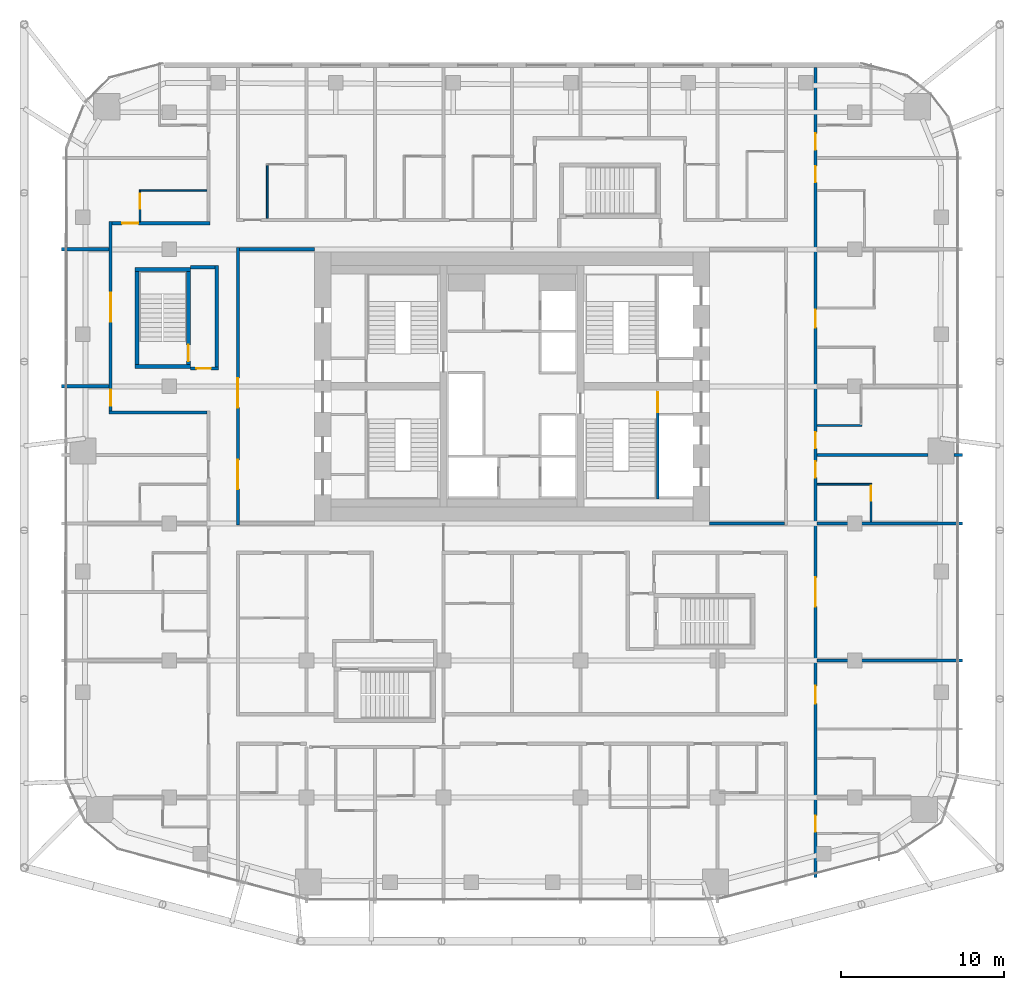
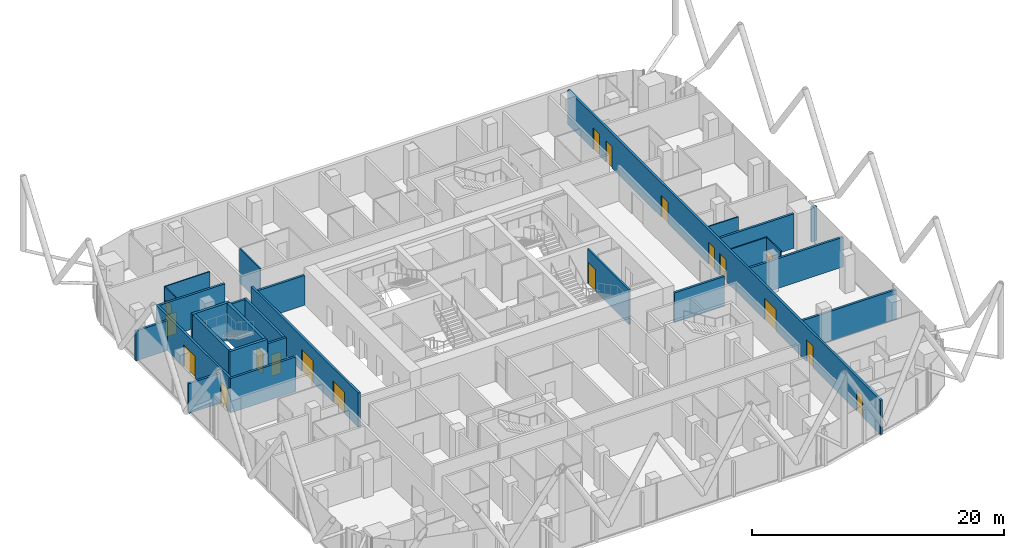
# One storey, part 30 of 36: 27 walls, 18 doors, 18 openings.
"""IFC4 building model written with IfcOpenShell, lengths in metres."""

from ifc_helpers import new_model, si_unit, direction, frame, frame_2d, origin, place, context, subcontext, project, spatial, rectangle, extrude, material, layer, layer_set, type_object, element, fill, save


model = new_model("IFC4")

# Units and contexts
model_context = context("Model", 3, precision=1e-05, world=origin(), true_north=direction((0.0, 1.0)))
body_context = subcontext(model_context, "Body", "Model", "MODEL_VIEW")
ifc_project = project(units=[si_unit("LENGTHUNIT", "METRE"), si_unit("AREAUNIT", "SQUARE_METRE"), si_unit("VOLUMEUNIT", "CUBIC_METRE"), si_unit("PLANEANGLEUNIT", "RADIAN"), si_unit("MASSUNIT", "GRAM", prefix="KILO")], contexts=[model_context])

# Site, building, storey
site_placement = place(None, origin())
site = spatial("IfcSite", under=ifc_project, at=site_placement, CompositionType="ELEMENT")
building_placement = place(site_placement, origin())
building = spatial("IfcBuilding", under=site, at=building_placement, Name="Marenta Gate Hotel Tower", CompositionType="ELEMENT")
storey_placement = place(building_placement, frame((0.0, 0.0, 115.699951171875)))
storey = spatial("IfcBuildingStorey", under=building, at=storey_placement, Name="L25", CompositionType="ELEMENT", Elevation=115.699951171875)

# Wall, openings, doors
ifc_material_1 = material(Name="Concrete blockwork", Category="masonry")
ifc_layer_1 = layer(ifc_material_1, 0.199951171875)
ifc_layer_set_1 = layer_set([ifc_layer_1], Name="Concrete blockwork")
wall_type_1 = type_object("IfcWallType", Name="Core boundary wall 200 REI 180", PredefinedType="PARTITIONING", material=ifc_layer_set_1)
wall_1_placement = place(storey_placement, frame((-16.800048828125, -0.10009765625, 0.0), z_axis=(0.0, 0.0, 1.0), x_axis=(0.0, 1.0, 0.0)))
wall_1 = element("IfcWall", 1, at=wall_1_placement, inside=storey, type_object=wall_type_1, Name="L25-CP-BW-W", PredefinedType="PARTITIONING", context=body_context, shape_type="SweptSolid", body=[
    extrude(rectangle(XDim=17.0, YDim=0.199951171875, at=frame_2d((8.5, 0.0))), origin(), (0.0, 0.0, 1.0), 3.340087890625),
])
opening_1_placement = place(wall_1_placement, frame((2.199951171875, 0.0, 0.0)))
opening_1 = element("IfcOpeningElement", 2, at=opening_1_placement, cuts=wall_1, Name="Opening ED-Wa-B", PredefinedType="OPENING", context=body_context, shape_type="SweptSolid", body=[
    extrude(rectangle(XDim=1.800048828125, YDim=2.10009765625, at=frame_2d((0.89990234375, 1.050048828125))), frame((0.0, 0.10009765625, 0.0), z_axis=(0.0, -1.0, 0.0), x_axis=(1.0, 0.0, 0.0)), (0.0, 0.0, 1.0), 0.199951171875),
])
opening_2_placement = place(wall_1_placement, frame((7.199951171875, 0.0, 0.0)))
opening_2 = element("IfcOpeningElement", 3, at=opening_2_placement, cuts=wall_1, Name="Opening ED-Wb-B", PredefinedType="OPENING", context=body_context, shape_type="SweptSolid", body=[
    extrude(rectangle(XDim=1.800048828125, YDim=2.10009765625, at=frame_2d((0.89990234375, 1.050048828125))), frame((0.0, 0.10009765625, 0.0), z_axis=(0.0, -1.0, 0.0), x_axis=(1.0, 0.0, 0.0)), (0.0, 0.0, 1.0), 0.199951171875),
])
ifc_material_2 = material(Name="Steel", Category="steel")
door_type_1 = type_object("IfcDoorType", Name="Core lobby entrance door 1800x2100 EI 60", OperationType="DOUBLE_DOOR_SINGLE_SWING", PredefinedType="DOOR", material=ifc_material_2)
door_1_placement = place(opening_1_placement, origin())
door_1 = element("IfcDoor", 4, at=door_1_placement, inside=storey, type_object=door_type_1, Name="ED-Wa-B", OperationType="DOUBLE_DOOR_SINGLE_SWING", OverallHeight=2.10009765625, OverallWidth=1.800048828125, PredefinedType="DOOR", context=body_context, shape_type="SweptSolid", body=[
    extrude(rectangle(XDim=1.800048828125, YDim=2.10009765625, at=frame_2d((0.89990234375, 1.050048828125))), frame((0.0, 0.02490234375, 0.0), z_axis=(0.0, -1.0, 0.0), x_axis=(1.0, 0.0, 0.0)), (0.0, 0.0, 1.0), 0.050048828125),
])
fill(opening_1, door_1)
door_2_placement = place(opening_2_placement, origin())
door_2 = element("IfcDoor", 5, at=door_2_placement, inside=storey, type_object=door_type_1, Name="ED-Wb-B", OperationType="DOUBLE_DOOR_SINGLE_SWING", OverallHeight=2.10009765625, OverallWidth=1.800048828125, PredefinedType="DOOR", context=body_context, shape_type="SweptSolid", body=[
    extrude(rectangle(XDim=1.800048828125, YDim=2.10009765625, at=frame_2d((0.89990234375, 1.050048828125))), frame((0.0, 0.02490234375, 0.0), z_axis=(0.0, -1.0, 0.0), x_axis=(1.0, 0.0, 0.0)), (0.0, 0.0, 1.0), 0.050048828125),
])
fill(opening_2, door_2)

# Walls
for number, where, z_axis, x_axis, name in (
    (6, (-16.699951171875, 16.800048828125, 0.0), (0.0, 0.0, 1.0), (1.0, 0.0, 0.0), "L25-CP-EW-WN"),
    (7, (12.10009765625, 0.0, 0.0), (0.0, 0.0, 1.0), (1.0, 0.0, 0.0), "L25-CP-EW-ES"),
):
    element("IfcWall", number, at=place(storey_placement, frame(where, z_axis=z_axis, x_axis=x_axis)), inside=storey, type_object=wall_type_1, Name=name, PredefinedType="PARTITIONING", context=body_context, shape_type="SweptSolid", body=[
        extrude(rectangle(XDim=4.599853515625, YDim=0.199951171875, at=frame_2d((2.2998046875, 0.0))), origin(), (0.0, 0.0, 1.0), 2.89013671875),
    ])

# Wall, opening, door
ifc_material_3 = material(Name="Concrete C40", Category="concrete")
ifc_layer_2 = layer(ifc_material_3, 0.14990234375)
ifc_layer_set_2 = layer_set([ifc_layer_2], Name="Concrete C40")
wall_type_2 = type_object("IfcWallType", Name="Core stair enclosure wall 150 REI 180", PredefinedType="SHEAR", material=ifc_layer_set_2)
wall_2_placement = place(storey_placement, frame((8.925048828125, 1.5, 0.0), z_axis=(0.0, 0.0, 1.0), x_axis=(0.0, 1.0, 0.0)))
wall_2 = element("IfcWall", 8, at=wall_2_placement, inside=storey, type_object=wall_type_2, Name="L25-SHF-SW-ES-3", PredefinedType="SHEAR", context=body_context, shape_type="SweptSolid", body=[
    extrude(rectangle(XDim=6.60009765625, YDim=0.14990234375, at=frame_2d((3.300048828125, 0.0))), origin(), (0.0, 0.0, 1.0), 3.340087890625),
])
opening_3_placement = place(wall_2_placement, frame((5.324951171875, 0.0, 0.0)))
opening_3 = element("IfcOpeningElement", 9, at=opening_3_placement, cuts=wall_2, Name="Opening SD-ES", PredefinedType="OPENING", context=body_context, shape_type="SweptSolid", body=[
    extrude(rectangle(XDim=1.199951171875, YDim=2.10009765625, at=frame_2d((0.60009765625, 1.050048828125))), frame((0.0, 0.074951171875, 0.0), z_axis=(0.0, -1.0, 0.0), x_axis=(1.0, 0.0, 0.0)), (0.0, 0.0, 1.0), 0.14990234375),
])
ifc_material_4 = material(Name="Steel", Category="steel")
door_type_2 = type_object("IfcDoorType", Name="Core stair door 1200x2100 FD60", OperationType="SINGLE_SWING_LEFT", PredefinedType="DOOR", material=ifc_material_4)
door_3_placement = place(opening_3_placement, origin())
door_3 = element("IfcDoor", 10, at=door_3_placement, inside=storey, type_object=door_type_2, Name="SD-ES", OperationType="SINGLE_SWING_LEFT", OverallHeight=2.10009765625, OverallWidth=1.199951171875, PredefinedType="DOOR", context=body_context, shape_type="SweptSolid", body=[
    extrude(rectangle(XDim=1.199951171875, YDim=2.10009765625, at=frame_2d((0.60009765625, 1.050048828125))), frame((0.0, 0.02490234375, 0.0), z_axis=(0.0, -1.0, 0.0), x_axis=(1.0, 0.0, 0.0)), (0.0, 0.0, 1.0), 0.050048828125),
])
fill(opening_3, door_3)

# Walls
ifc_material_5 = material(Name="Concrete C40", Category="concrete")
ifc_layer_3 = layer(ifc_material_5, 0.25)
ifc_layer_set_3 = layer_set([ifc_layer_3], Name="Concrete C40")
wall_type_3 = type_object("IfcWallType", Name="Remote stair enclosure wall 250 REI 180", PredefinedType="SHEAR", material=ifc_layer_set_3)
for number, where, z_axis, x_axis, name in (
    (11, (-23.10009765625, 9.625, 0.10009765625), (0.0, 0.0, 1.0), (1.0, 0.0, 0.0), "L25-RS-Z1-3-W1"),
    (12, (-23.10009765625, 15.574951171875, 0.10009765625), (0.0, 0.0, 1.0), (1.0, 0.0, 0.0), "L25-RS-Z1-3-W2"),
):
    element("IfcWall", number, at=place(storey_placement, frame(where, z_axis=z_axis, x_axis=x_axis)), inside=storey, type_object=wall_type_3, Name=name, PredefinedType="SHEAR", context=body_context, shape_type="SweptSolid", body=[
        extrude(rectangle(XDim=3.400146484375, YDim=0.25, at=frame_2d((1.7001953125, 0.0))), origin(), (0.0, 0.0, 1.0), 3.599853515625),
    ])
wall_3_placement = place(storey_placement, frame((-22.97509765625, 9.75, 0.10009765625), z_axis=(0.0, 0.0, 1.0), x_axis=(0.0, 1.0, 0.0)))
element("IfcWall", 13, at=wall_3_placement, inside=storey, type_object=wall_type_3, Name="L25-RS-Z1-3-W3", PredefinedType="SHEAR", context=body_context, shape_type="SweptSolid", body=[
    extrude(rectangle(XDim=5.699951171875, YDim=0.25, at=frame_2d((2.85009765625, 0.0))), origin(), (0.0, 0.0, 1.0), 3.599853515625),
])

# Wall, opening, door
wall_4_placement = place(storey_placement, frame((-19.824951171875, 9.75, 0.10009765625), z_axis=(0.0, 0.0, 1.0), x_axis=(0.0, 1.0, 0.0)))
wall_4 = element("IfcWall", 14, at=wall_4_placement, inside=storey, type_object=wall_type_3, Name="L25-RS-Z1-3-W4", PredefinedType="SHEAR", context=body_context, shape_type="SweptSolid", body=[
    extrude(rectangle(XDim=5.699951171875, YDim=0.25, at=frame_2d((2.85009765625, 0.0))), origin(), (0.0, 0.0, 1.0), 3.599853515625),
])
opening_4_placement = place(wall_4_placement, frame((0.199951171875, 0.0, 0.0)))
opening_4 = element("IfcOpeningElement", 15, at=opening_4_placement, cuts=wall_4, Name="Opening VD", PredefinedType="OPENING", context=body_context, shape_type="SweptSolid", body=[
    extrude(rectangle(XDim=1.0, YDim=2.10009765625, at=frame_2d((0.5, 1.050048828125))), frame((0.0, 0.125, 0.0), z_axis=(0.0, -1.0, 0.0), x_axis=(1.0, 0.0, 0.0)), (0.0, 0.0, 1.0), 0.25),
])
ifc_material_6 = material(Name="Steel", Category="steel")
door_type_3 = type_object("IfcDoorType", Name="Stair vestibule door 1000x2100 FD60", OperationType="SINGLE_SWING_LEFT", PredefinedType="DOOR", material=ifc_material_6)
door_4_placement = place(opening_4_placement, origin())
door_4 = element("IfcDoor", 16, at=door_4_placement, inside=storey, type_object=door_type_3, Name="VD", OperationType="SINGLE_SWING_LEFT", OverallHeight=2.10009765625, OverallWidth=1.0, PredefinedType="DOOR", context=body_context, shape_type="SweptSolid", body=[
    extrude(rectangle(XDim=1.0, YDim=2.10009765625, at=frame_2d((0.5, 1.050048828125))), frame((0.0, 0.02490234375, 0.0), z_axis=(0.0, -1.0, 0.0), x_axis=(1.0, 0.0, 0.0)), (0.0, 0.0, 1.0), 0.050048828125),
])
fill(opening_4, door_4)

# Wall, openings, doors
ifc_material_7 = material(Name="Gypsum board on steel stud", Category="steel")
ifc_layer_4 = layer(ifc_material_7, 0.199951171875)
ifc_layer_set_4 = layer_set([ifc_layer_4], Name="Gypsum board on steel stud")
wall_type_4 = type_object("IfcWallType", Name="Room corridor wall 200 EI 60", PredefinedType="PARTITIONING", material=ifc_layer_set_4)
wall_5_placement = place(storey_placement, frame((18.60009765625, -21.7080078125, 0.0), z_axis=(0.0, 0.0, 1.0), x_axis=(0.0, 1.0, 0.0)))
wall_5 = element("IfcWall", 17, at=wall_5_placement, inside=storey, type_object=wall_type_4, Name="L25-PTN-W010", PredefinedType="PARTITIONING", context=body_context, shape_type="SweptSolid", body=[
    extrude(rectangle(XDim=49.64794921875, YDim=0.199951171875, at=frame_2d((24.823974609375, 0.0))), origin(), (0.0, 0.0, 1.0), 3.340087890625),
])
opening_5_placement = place(wall_5_placement, frame((2.800048828125, 0.0, 0.0)))
opening_5 = element("IfcOpeningElement", 18, at=opening_5_placement, cuts=wall_5, Name="Opening G09-09", PredefinedType="OPENING", context=body_context, shape_type="SweptSolid", body=[
    extrude(rectangle(XDim=1.0, YDim=2.10009765625, at=frame_2d((0.5, 1.050048828125))), frame((0.0, 0.10009765625, 0.0), z_axis=(0.0, -1.0, 0.0), x_axis=(1.0, 0.0, 0.0)), (0.0, 0.0, 1.0), 0.199951171875),
])
opening_6_placement = place(wall_5_placement, frame((10.657958984375, 0.0, 0.0)))
opening_6 = element("IfcOpeningElement", 19, at=opening_6_placement, cuts=wall_5, Name="Opening G09-11", PredefinedType="OPENING", context=body_context, shape_type="SweptSolid", body=[
    extrude(rectangle(XDim=1.10009765625, YDim=2.10009765625, at=frame_2d((0.550048828125, 1.050048828125))), frame((0.0, 0.10009765625, 0.0), z_axis=(0.0, -1.0, 0.0), x_axis=(1.0, 0.0, 0.0)), (0.0, 0.0, 1.0), 0.199951171875),
])
opening_7_placement = place(wall_5_placement, frame((16.60791015625, 0.0, 0.0)))
opening_7 = element("IfcOpeningElement", 20, at=opening_7_placement, cuts=wall_5, Name="Opening G09-14", PredefinedType="OPENING", context=body_context, shape_type="SweptSolid", body=[
    extrude(rectangle(XDim=1.800048828125, YDim=2.10009765625, at=frame_2d((0.89990234375, 1.050048828125))), frame((0.0, 0.10009765625, 0.0), z_axis=(0.0, -1.0, 0.0), x_axis=(1.0, 0.0, 0.0)), (0.0, 0.0, 1.0), 0.199951171875),
])
opening_8_placement = place(wall_5_placement, frame((24.508056640625, 0.0, 0.0)))
opening_8 = element("IfcOpeningElement", 21, at=opening_8_placement, cuts=wall_5, Name="Opening G09-15", PredefinedType="OPENING", context=body_context, shape_type="SweptSolid", body=[
    extrude(rectangle(XDim=1.0, YDim=2.10009765625, at=frame_2d((0.5, 1.050048828125))), frame((0.0, 0.10009765625, 0.0), z_axis=(0.0, -1.0, 0.0), x_axis=(1.0, 0.0, 0.0)), (0.0, 0.0, 1.0), 0.199951171875),
])
opening_9_placement = place(wall_5_placement, frame((26.30810546875, 0.0, 0.0)))
opening_9 = element("IfcOpeningElement", 22, at=opening_9_placement, cuts=wall_5, Name="Opening G09-17", PredefinedType="OPENING", context=body_context, shape_type="SweptSolid", body=[
    extrude(rectangle(XDim=1.0, YDim=2.10009765625, at=frame_2d((0.5, 1.050048828125))), frame((0.0, 0.10009765625, 0.0), z_axis=(0.0, -1.0, 0.0), x_axis=(1.0, 0.0, 0.0)), (0.0, 0.0, 1.0), 0.199951171875),
])
opening_10_placement = place(wall_5_placement, frame((33.7080078125, 0.0, 0.0)))
opening_10 = element("IfcOpeningElement", 23, at=opening_10_placement, cuts=wall_5, Name="Opening G09-19", PredefinedType="OPENING", context=body_context, shape_type="SweptSolid", body=[
    extrude(rectangle(XDim=1.10009765625, YDim=2.10009765625, at=frame_2d((0.550048828125, 1.050048828125))), frame((0.0, 0.10009765625, 0.0), z_axis=(0.0, -1.0, 0.0), x_axis=(1.0, 0.0, 0.0)), (0.0, 0.0, 1.0), 0.199951171875),
])
opening_11_placement = place(wall_5_placement, frame((42.60791015625, 0.0, 0.0)))
opening_11 = element("IfcOpeningElement", 24, at=opening_11_placement, cuts=wall_5, Name="Opening G09-22", PredefinedType="OPENING", context=body_context, shape_type="SweptSolid", body=[
    extrude(rectangle(XDim=1.0, YDim=2.10009765625, at=frame_2d((0.5, 1.050048828125))), frame((0.0, 0.10009765625, 0.0), z_axis=(0.0, -1.0, 0.0), x_axis=(1.0, 0.0, 0.0)), (0.0, 0.0, 1.0), 0.199951171875),
])
opening_12_placement = place(wall_5_placement, frame((44.60791015625, 0.0, 0.0)))
opening_12 = element("IfcOpeningElement", 25, at=opening_12_placement, cuts=wall_5, Name="Opening G09-24", PredefinedType="OPENING", context=body_context, shape_type="SweptSolid", body=[
    extrude(rectangle(XDim=1.0, YDim=2.10009765625, at=frame_2d((0.5, 1.050048828125))), frame((0.0, 0.10009765625, 0.0), z_axis=(0.0, -1.0, 0.0), x_axis=(1.0, 0.0, 0.0)), (0.0, 0.0, 1.0), 0.199951171875),
])
ifc_material_8 = material(Name="Timber door leaf", Category="wood")
door_type_4 = type_object("IfcDoorType", Name="Guest room door 1000x2100 EI 30", OperationType="NOTDEFINED", PredefinedType="DOOR", material=ifc_material_8)
door_5_placement = place(opening_5_placement, origin())
door_5 = element("IfcDoor", 26, at=door_5_placement, inside=storey, type_object=door_type_4, Name="L25-PD-D009", OperationType="SINGLE_SWING_RIGHT", OverallHeight=2.10009765625, OverallWidth=1.0, PredefinedType="DOOR", context=body_context, shape_type="SweptSolid", body=[
    extrude(rectangle(XDim=1.0, YDim=2.10009765625, at=frame_2d((0.5, 1.050048828125))), frame((0.0, 0.02490234375, 0.0), z_axis=(0.0, -1.0, 0.0), x_axis=(1.0, 0.0, 0.0)), (0.0, 0.0, 1.0), 0.050048828125),
])
fill(opening_5, door_5)
door_6_placement = place(opening_8_placement, origin())
door_6 = element("IfcDoor", 27, at=door_6_placement, inside=storey, type_object=door_type_4, Name="L25-PD-D015", OperationType="SINGLE_SWING_LEFT", OverallHeight=2.10009765625, OverallWidth=1.0, PredefinedType="DOOR", context=body_context, shape_type="SweptSolid", body=[
    extrude(rectangle(XDim=1.0, YDim=2.10009765625, at=frame_2d((0.5, 1.050048828125))), frame((0.0, 0.02490234375, 0.0), z_axis=(0.0, -1.0, 0.0), x_axis=(1.0, 0.0, 0.0)), (0.0, 0.0, 1.0), 0.050048828125),
])
fill(opening_8, door_6)
door_7_placement = place(opening_9_placement, origin())
door_7 = element("IfcDoor", 28, at=door_7_placement, inside=storey, type_object=door_type_4, Name="L25-PD-D017", OperationType="SINGLE_SWING_LEFT", OverallHeight=2.10009765625, OverallWidth=1.0, PredefinedType="DOOR", context=body_context, shape_type="SweptSolid", body=[
    extrude(rectangle(XDim=1.0, YDim=2.10009765625, at=frame_2d((0.5, 1.050048828125))), frame((0.0, 0.02490234375, 0.0), z_axis=(0.0, -1.0, 0.0), x_axis=(1.0, 0.0, 0.0)), (0.0, 0.0, 1.0), 0.050048828125),
])
fill(opening_9, door_7)
door_8_placement = place(opening_11_placement, origin())
door_8 = element("IfcDoor", 29, at=door_8_placement, inside=storey, type_object=door_type_4, Name="L25-PD-D022", OperationType="SINGLE_SWING_RIGHT", OverallHeight=2.10009765625, OverallWidth=1.0, PredefinedType="DOOR", context=body_context, shape_type="SweptSolid", body=[
    extrude(rectangle(XDim=1.0, YDim=2.10009765625, at=frame_2d((0.5, 1.050048828125))), frame((0.0, 0.02490234375, 0.0), z_axis=(0.0, -1.0, 0.0), x_axis=(1.0, 0.0, 0.0)), (0.0, 0.0, 1.0), 0.050048828125),
])
fill(opening_11, door_8)
door_9_placement = place(opening_12_placement, origin())
door_9 = element("IfcDoor", 30, at=door_9_placement, inside=storey, type_object=door_type_4, Name="L25-PD-D024", OperationType="SINGLE_SWING_RIGHT", OverallHeight=2.10009765625, OverallWidth=1.0, PredefinedType="DOOR", context=body_context, shape_type="SweptSolid", body=[
    extrude(rectangle(XDim=1.0, YDim=2.10009765625, at=frame_2d((0.5, 1.050048828125))), frame((0.0, 0.02490234375, 0.0), z_axis=(0.0, -1.0, 0.0), x_axis=(1.0, 0.0, 0.0)), (0.0, 0.0, 1.0), 0.050048828125),
])
fill(opening_12, door_9)
ifc_material_9 = material(Name="Timber door leaf", Category="wood")
door_type_5 = type_object("IfcDoorType", Name="Guest room door 1100x2100 EI 30", OperationType="NOTDEFINED", PredefinedType="DOOR", material=ifc_material_9)
door_10_placement = place(opening_6_placement, origin())
door_10 = element("IfcDoor", 31, at=door_10_placement, inside=storey, type_object=door_type_5, Name="L25-PD-D011", OperationType="SINGLE_SWING_LEFT", OverallHeight=2.10009765625, OverallWidth=1.10009765625, PredefinedType="DOOR", context=body_context, shape_type="SweptSolid", body=[
    extrude(rectangle(XDim=1.10009765625, YDim=2.10009765625, at=frame_2d((0.550048828125, 1.050048828125))), frame((0.0, 0.02490234375, 0.0), z_axis=(0.0, -1.0, 0.0), x_axis=(1.0, 0.0, 0.0)), (0.0, 0.0, 1.0), 0.050048828125),
])
fill(opening_6, door_10)
door_11_placement = place(opening_10_placement, origin())
door_11 = element("IfcDoor", 32, at=door_11_placement, inside=storey, type_object=door_type_5, Name="L25-PD-D019", OperationType="SINGLE_SWING_LEFT", OverallHeight=2.10009765625, OverallWidth=1.10009765625, PredefinedType="DOOR", context=body_context, shape_type="SweptSolid", body=[
    extrude(rectangle(XDim=1.10009765625, YDim=2.10009765625, at=frame_2d((0.550048828125, 1.050048828125))), frame((0.0, 0.02490234375, 0.0), z_axis=(0.0, -1.0, 0.0), x_axis=(1.0, 0.0, 0.0)), (0.0, 0.0, 1.0), 0.050048828125),
])
fill(opening_10, door_11)
ifc_material_10 = material(Name="Timber door leaf", Category="wood")
door_type_6 = type_object("IfcDoorType", Name="Room amenity door 1800x2100 EI 30", OperationType="DOUBLE_DOOR_SINGLE_SWING", PredefinedType="DOOR", material=ifc_material_10)
door_12_placement = place(opening_7_placement, origin())
door_12 = element("IfcDoor", 33, at=door_12_placement, inside=storey, type_object=door_type_6, Name="L25-PD-D014", OperationType="DOUBLE_DOOR_SINGLE_SWING", OverallHeight=2.10009765625, OverallWidth=1.800048828125, PredefinedType="DOOR", context=body_context, shape_type="SweptSolid", body=[
    extrude(rectangle(XDim=1.800048828125, YDim=2.10009765625, at=frame_2d((0.89990234375, 1.050048828125))), frame((0.0, 0.02490234375, 0.0), z_axis=(0.0, -1.0, 0.0), x_axis=(1.0, 0.0, 0.0)), (0.0, 0.0, 1.0), 0.050048828125),
])
fill(opening_7, door_12)

# Wall
wall_6_placement = place(storey_placement, frame((-24.699951171875, 6.800048828125, 0.0), z_axis=(0.0, 0.0, 1.0), x_axis=(1.0, 0.0, 0.0)))
element("IfcWall", 34, at=wall_6_placement, inside=storey, type_object=wall_type_4, Name="L25-PTN-W079", PredefinedType="PARTITIONING", context=body_context, shape_type="SweptSolid", body=[
    extrude(rectangle(XDim=6.0, YDim=0.199951171875, at=frame_2d((3.0, 0.0))), origin(), (0.0, 0.0, 1.0), 3.340087890625),
])

# Wall, opening, door
wall_7_placement = place(storey_placement, frame((-24.5, 18.39990234375, 0.0), z_axis=(0.0, 0.0, 1.0), x_axis=(1.0, 0.0, 0.0)))
wall_7 = element("IfcWall", 35, at=wall_7_placement, inside=storey, type_object=wall_type_4, Name="L25-PTN-W103", PredefinedType="PARTITIONING", context=body_context, shape_type="SweptSolid", body=[
    extrude(rectangle(XDim=6.0, YDim=0.199951171875, at=frame_2d((3.0, 0.0))), origin(), (0.0, 0.0, 1.0), 3.340087890625),
])
opening_13_placement = place(wall_7_placement, frame((0.60009765625, 0.0, 0.0)))
opening_13 = element("IfcOpeningElement", 36, at=opening_13_placement, cuts=wall_7, Name="Opening G09-64", PredefinedType="OPENING", context=body_context, shape_type="SweptSolid", body=[
    extrude(rectangle(XDim=1.0, YDim=2.10009765625, at=frame_2d((0.5, 1.050048828125))), frame((0.0, 0.10009765625, 0.0), z_axis=(0.0, -1.0, 0.0), x_axis=(1.0, 0.0, 0.0)), (0.0, 0.0, 1.0), 0.199951171875),
])
door_13_placement = place(opening_13_placement, origin())
door_13 = element("IfcDoor", 37, at=door_13_placement, inside=storey, type_object=door_type_4, Name="L25-PD-D064", OperationType="SINGLE_SWING_RIGHT", OverallHeight=2.10009765625, OverallWidth=1.0, PredefinedType="DOOR", context=body_context, shape_type="SweptSolid", body=[
    extrude(rectangle(XDim=1.0, YDim=2.10009765625, at=frame_2d((0.5, 1.050048828125))), frame((0.0, 0.02490234375, 0.0), z_axis=(0.0, -1.0, 0.0), x_axis=(1.0, 0.0, 0.0)), (0.0, 0.0, 1.0), 0.050048828125),
])
fill(opening_13, door_13)

# Wall, openings, doors
wall_8_placement = place(storey_placement, frame((-24.60009765625, 6.89990234375, 0.0), z_axis=(0.0, 0.0, 1.0), x_axis=(0.0, 1.0, 0.0)))
wall_8 = element("IfcWall", 38, at=wall_8_placement, inside=storey, type_object=wall_type_4, Name="L25-PTN-W128", PredefinedType="PARTITIONING", context=body_context, shape_type="SweptSolid", body=[
    extrude(rectangle(XDim=11.60009765625, YDim=0.199951171875, at=frame_2d((5.800048828125, 0.0))), origin(), (0.0, 0.0, 1.0), 3.340087890625),
])
opening_14_placement = place(wall_8_placement, frame((5.449951171875, 0.0, 0.0)))
opening_14 = element("IfcOpeningElement", 39, at=opening_14_placement, cuts=wall_8, Name="Opening G09-63", PredefinedType="OPENING", context=body_context, shape_type="SweptSolid", body=[
    extrude(rectangle(XDim=1.800048828125, YDim=2.10009765625, at=frame_2d((0.89990234375, 1.050048828125))), frame((0.0, 0.10009765625, 0.0), z_axis=(0.0, -1.0, 0.0), x_axis=(1.0, 0.0, 0.0)), (0.0, 0.0, 1.0), 0.199951171875),
])
opening_15_placement = place(wall_8_placement, frame((0.300048828125, 0.0, 0.0)))
opening_15 = element("IfcOpeningElement", 40, at=opening_15_placement, cuts=wall_8, Name="Opening G09-72", PredefinedType="OPENING", context=body_context, shape_type="SweptSolid", body=[
    extrude(rectangle(XDim=1.0, YDim=2.10009765625, at=frame_2d((0.5, 1.050048828125))), frame((0.0, 0.10009765625, 0.0), z_axis=(0.0, -1.0, 0.0), x_axis=(1.0, 0.0, 0.0)), (0.0, 0.0, 1.0), 0.199951171875),
])
ifc_material_11 = material(Name="Timber door leaf", Category="wood")
door_type_7 = type_object("IfcDoorType", Name="Room amenity door 1000x2100 EI 30", OperationType="NOTDEFINED", PredefinedType="DOOR", material=ifc_material_11)
door_14_placement = place(opening_15_placement, origin())
door_14 = element("IfcDoor", 41, at=door_14_placement, inside=storey, type_object=door_type_7, Name="L25-PD-D072", OperationType="SINGLE_SWING_LEFT", OverallHeight=2.10009765625, OverallWidth=1.0, PredefinedType="DOOR", context=body_context, shape_type="SweptSolid", body=[
    extrude(rectangle(XDim=1.0, YDim=2.10009765625, at=frame_2d((0.5, 1.050048828125))), frame((0.0, 0.02490234375, 0.0), z_axis=(0.0, -1.0, 0.0), x_axis=(1.0, 0.0, 0.0)), (0.0, 0.0, 1.0), 0.050048828125),
])
fill(opening_15, door_14)
door_15_placement = place(opening_14_placement, origin())
door_15 = element("IfcDoor", 42, at=door_15_placement, inside=storey, type_object=door_type_6, Name="L25-PD-D063", OperationType="DOUBLE_DOOR_SINGLE_SWING", OverallHeight=2.10009765625, OverallWidth=1.800048828125, PredefinedType="DOOR", context=body_context, shape_type="SweptSolid", body=[
    extrude(rectangle(XDim=1.800048828125, YDim=2.10009765625, at=frame_2d((0.89990234375, 1.050048828125))), frame((0.0, 0.02490234375, 0.0), z_axis=(0.0, -1.0, 0.0), x_axis=(1.0, 0.0, 0.0)), (0.0, 0.0, 1.0), 0.050048828125),
])
fill(opening_14, door_15)

# Wall, opening, door
ifc_material_12 = material(Name="Concrete blockwork", Category="masonry")
ifc_layer_5 = layer(ifc_material_12, 0.199951171875)
ifc_layer_set_5 = layer_set([ifc_layer_5], Name="Concrete blockwork")
wall_type_5 = type_object("IfcWallType", Name="Room corridor wall 200 REI 180", PredefinedType="PARTITIONING", material=ifc_layer_set_5)
wall_9_placement = place(storey_placement, frame((-19.699951171875, 9.5, 0.0), z_axis=(0.0, 0.0, 1.0), x_axis=(1.0, 0.0, 0.0)))
wall_9 = element("IfcWall", 43, at=wall_9_placement, inside=storey, type_object=wall_type_5, Name="L25-PTN-W085", PredefinedType="PARTITIONING", context=body_context, shape_type="SweptSolid", body=[
    extrude(rectangle(XDim=1.699951171875, YDim=0.199951171875, at=frame_2d((0.85009765625, 0.0))), origin(), (0.0, 0.0, 1.0), 3.340087890625),
])
opening_16_placement = place(wall_9_placement, frame((0.35009765625, 0.0, 0.0)))
opening_16 = element("IfcOpeningElement", 44, at=opening_16_placement, cuts=wall_9, Name="Opening G09-68", PredefinedType="OPENING", context=body_context, shape_type="SweptSolid", body=[
    extrude(rectangle(XDim=0.89990234375, YDim=2.10009765625, at=frame_2d((0.449951171875, 1.050048828125))), frame((0.0, 0.10009765625, 0.0), z_axis=(0.0, -1.0, 0.0), x_axis=(1.0, 0.0, 0.0)), (0.0, 0.0, 1.0), 0.199951171875),
])
ifc_material_13 = material(Name="Hollow steel door set", Category="steel")
door_type_8 = type_object("IfcDoorType", Name="Stair vestibule door 900x2100 EI 60", OperationType="NOTDEFINED", PredefinedType="DOOR", material=ifc_material_13)
door_16_placement = place(opening_16_placement, origin())
door_16 = element("IfcDoor", 45, at=door_16_placement, inside=storey, type_object=door_type_8, Name="L25-PD-D068", OperationType="SINGLE_SWING_RIGHT", OverallHeight=2.10009765625, OverallWidth=0.89990234375, PredefinedType="DOOR", context=body_context, shape_type="SweptSolid", body=[
    extrude(rectangle(XDim=0.89990234375, YDim=2.10009765625, at=frame_2d((0.449951171875, 1.050048828125))), frame((0.0, 0.02490234375, 0.0), z_axis=(0.0, -1.0, 0.0), x_axis=(1.0, 0.0, 0.0)), (0.0, 0.0, 1.0), 0.050048828125),
])
fill(opening_16, door_16)

# Walls
wall_10_placement = place(storey_placement, frame((-19.699951171875, 15.699951171875, 0.0), z_axis=(0.0, 0.0, 1.0), x_axis=(1.0, 0.0, 0.0)))
element("IfcWall", 46, at=wall_10_placement, inside=storey, type_object=wall_type_5, Name="L25-PTN-W096", PredefinedType="PARTITIONING", context=body_context, shape_type="SweptSolid", body=[
    extrude(rectangle(XDim=1.5, YDim=0.199951171875, at=frame_2d((0.75, 0.0))), origin(), (0.0, 0.0, 1.0), 3.340087890625),
])
wall_11_placement = place(storey_placement, frame((-18.10009765625, 9.60009765625, 0.0), z_axis=(0.0, 0.0, 1.0), x_axis=(0.0, 1.0, 0.0)))
element("IfcWall", 47, at=wall_11_placement, inside=storey, type_object=wall_type_5, Name="L25-PTN-W102", PredefinedType="PARTITIONING", context=body_context, shape_type="SweptSolid", body=[
    extrude(rectangle(XDim=6.199951171875, YDim=0.199951171875, at=frame_2d((3.10009765625, 0.0))), origin(), (0.0, 0.0, 1.0), 3.340087890625),
])

# Wall, opening, door
ifc_material_14 = material(Name="Gypsum board on steel stud", Category="steel")
ifc_layer_6 = layer(ifc_material_14, 0.10009765625)
ifc_layer_set_6 = layer_set([ifc_layer_6], Name="Gypsum board on steel stud")
wall_type_6 = type_object("IfcWallType", Name="Room partition 100", PredefinedType="PARTITIONING", material=ifc_layer_set_6)
wall_12_placement = place(storey_placement, frame((22.0, 0.10009765625, 0.0), z_axis=(0.0, 0.0, 1.0), x_axis=(0.0, 1.0, 0.0)))
wall_12 = element("IfcWall", 48, at=wall_12_placement, inside=storey, type_object=wall_type_6, Name="L25-PTN-W005", PredefinedType="PARTITIONING", context=body_context, shape_type="SweptSolid", body=[
    extrude(rectangle(XDim=2.349853515625, YDim=0.10009765625, at=frame_2d((1.1748046875, 0.0))), origin(), (0.0, 0.0, 1.0), 3.340087890625),
])
opening_17_placement = place(wall_12_placement, frame((1.300048828125, 0.0, 0.0)))
opening_17 = element("IfcOpeningElement", 49, at=opening_17_placement, cuts=wall_12, Name="Opening G09-16", PredefinedType="OPENING", context=body_context, shape_type="SweptSolid", body=[
    extrude(rectangle(XDim=0.89990234375, YDim=2.10009765625, at=frame_2d((0.449951171875, 1.050048828125))), frame((0.0, 0.050048828125, 0.0), z_axis=(0.0, -1.0, 0.0), x_axis=(1.0, 0.0, 0.0)), (0.0, 0.0, 1.0), 0.10009765625),
])
ifc_material_15 = material(Name="Timber door leaf", Category="wood")
door_type_9 = type_object("IfcDoorType", Name="Guest bathroom door 900x2100", OperationType="NOTDEFINED", PredefinedType="DOOR", material=ifc_material_15)
door_17_placement = place(opening_17_placement, origin())
door_17 = element("IfcDoor", 50, at=door_17_placement, inside=storey, type_object=door_type_9, Name="L25-PD-D016", OperationType="SINGLE_SWING_RIGHT", OverallHeight=2.10009765625, OverallWidth=0.89990234375, PredefinedType="DOOR", context=body_context, shape_type="SweptSolid", body=[
    extrude(rectangle(XDim=0.89990234375, YDim=2.10009765625, at=frame_2d((0.449951171875, 1.050048828125))), frame((0.0, 0.02490234375, 0.0), z_axis=(0.0, -1.0, 0.0), x_axis=(1.0, 0.0, 0.0)), (0.0, 0.0, 1.0), 0.050048828125),
])
fill(opening_17, door_17)

# Walls
wall_13_placement = place(storey_placement, frame((18.699951171875, 2.39990234375, 0.0), z_axis=(0.0, 0.0, 1.0), x_axis=(1.0, 0.0, 0.0)))
element("IfcWall", 51, at=wall_13_placement, inside=storey, type_object=wall_type_6, Name="L25-PTN-W069", PredefinedType="PARTITIONING", context=body_context, shape_type="SweptSolid", body=[
    extrude(rectangle(XDim=3.25, YDim=0.10009765625, at=frame_2d((1.625, 0.0))), origin(), (0.0, 0.0, 1.0), 3.340087890625),
])
wall_14_placement = place(storey_placement, frame((18.699951171875, 6.0, 0.0), z_axis=(0.0, 0.0, 1.0), x_axis=(1.0, 0.0, 0.0)))
element("IfcWall", 52, at=wall_14_placement, inside=storey, type_object=wall_type_6, Name="L25-PTN-W077", PredefinedType="PARTITIONING", context=body_context, shape_type="SweptSolid", body=[
    extrude(rectangle(XDim=2.75, YDim=0.10009765625, at=frame_2d((1.375, 0.0))), origin(), (0.0, 0.0, 1.0), 3.340087890625),
])
wall_15_placement = place(storey_placement, frame((-15.0, 18.699951171875, 0.0), z_axis=(0.0, 0.0, 1.0), x_axis=(0.0, 1.0, 0.0)))
element("IfcWall", 53, at=wall_15_placement, inside=storey, type_object=wall_type_6, Name="L25-PTN-W095", PredefinedType="PARTITIONING", context=body_context, shape_type="SweptSolid", body=[
    extrude(rectangle(XDim=3.25, YDim=0.10009765625, at=frame_2d((1.625, 0.0))), origin(), (0.0, 0.0, 1.0), 3.340087890625),
])
wall_16_placement = place(storey_placement, frame((-22.85009765625, 20.39990234375, 0.0), z_axis=(0.0, 0.0, 1.0), x_axis=(1.0, 0.0, 0.0)))
element("IfcWall", 54, at=wall_16_placement, inside=storey, type_object=wall_type_6, Name="L25-PTN-W108", PredefinedType="PARTITIONING", context=body_context, shape_type="SweptSolid", body=[
    extrude(rectangle(XDim=4.150146484375, YDim=0.10009765625, at=frame_2d((2.0751953125, 0.0))), origin(), (0.0, 0.0, 1.0), 3.340087890625),
])

# Wall, opening, door
wall_17_placement = place(storey_placement, frame((-22.800048828125, 18.5, 0.0), z_axis=(0.0, 0.0, 1.0), x_axis=(0.0, 1.0, 0.0)))
wall_17 = element("IfcWall", 55, at=wall_17_placement, inside=storey, type_object=wall_type_6, Name="L25-PTN-W123", PredefinedType="PARTITIONING", context=body_context, shape_type="SweptSolid", body=[
    extrude(rectangle(XDim=1.85009765625, YDim=0.10009765625, at=frame_2d((0.925048828125, 0.0))), origin(), (0.0, 0.0, 1.0), 3.340087890625),
])
opening_18_placement = place(wall_17_placement, frame((0.800048828125, 0.0, 0.0)))
opening_18 = element("IfcOpeningElement", 56, at=opening_18_placement, cuts=wall_17, Name="Opening G09-65", PredefinedType="OPENING", context=body_context, shape_type="SweptSolid", body=[
    extrude(rectangle(XDim=0.89990234375, YDim=2.10009765625, at=frame_2d((0.449951171875, 1.050048828125))), frame((0.0, 0.050048828125, 0.0), z_axis=(0.0, -1.0, 0.0), x_axis=(1.0, 0.0, 0.0)), (0.0, 0.0, 1.0), 0.10009765625),
])
door_18_placement = place(opening_18_placement, origin())
door_18 = element("IfcDoor", 57, at=door_18_placement, inside=storey, type_object=door_type_9, Name="L25-PD-D065", OperationType="SINGLE_SWING_LEFT", OverallHeight=2.10009765625, OverallWidth=0.89990234375, PredefinedType="DOOR", context=body_context, shape_type="SweptSolid", body=[
    extrude(rectangle(XDim=0.89990234375, YDim=2.10009765625, at=frame_2d((0.449951171875, 1.050048828125))), frame((0.0, 0.02490234375, 0.0), z_axis=(0.0, -1.0, 0.0), x_axis=(1.0, 0.0, 0.0)), (0.0, 0.0, 1.0), 0.050048828125),
])
fill(opening_18, door_18)

# Walls
ifc_material_16 = material(Name="Gypsum board on steel stud", Category="steel")
ifc_layer_7 = layer(ifc_material_16, 0.199951171875)
ifc_layer_set_7 = layer_set([ifc_layer_7], Name="Gypsum board on steel stud")
wall_type_7 = type_object("IfcWallType", Name="Room party wall 200 EI 60", PredefinedType="PARTITIONING", material=ifc_layer_set_7)
for number, where, z_axis, x_axis, name in (
    (58, (18.699951171875, -8.39990234375, 0.0), (0.0, 0.0, 1.0), (1.0, 0.0, 0.0), "L25-PTN-W042"),
    (59, (18.699951171875, 0.0, 0.0), (0.0, 0.0, 1.0), (1.0, 0.0, 0.0), "L25-PTN-W066"),
):
    element("IfcWall", number, at=place(storey_placement, frame(where, z_axis=z_axis, x_axis=x_axis)), inside=storey, type_object=wall_type_7, Name=name, PredefinedType="PARTITIONING", context=body_context, shape_type="SweptSolid", body=[
        extrude(rectangle(XDim=8.900146484375, YDim=0.199951171875, at=frame_2d((4.4501953125, 0.0))), origin(), (0.0, 0.0, 1.0), 2.89013671875),
    ])
wall_18_placement = place(storey_placement, frame((18.699951171875, 4.199951171875, 0.0), z_axis=(0.0, 0.0, 1.0), x_axis=(1.0, 0.0, 0.0)))
element("IfcWall", 60, at=wall_18_placement, inside=storey, type_object=wall_type_7, Name="L25-PTN-W074", PredefinedType="PARTITIONING", context=body_context, shape_type="SweptSolid", body=[
    extrude(rectangle(XDim=6.800048828125, YDim=0.199951171875, at=frame_2d((3.39990234375, 0.0))), origin(), (0.0, 0.0, 1.0), 3.340087890625),
])
wall_19_placement = place(storey_placement, frame((27.10009765625, 4.199951171875, 0.0), z_axis=(0.0, 0.0, 1.0), x_axis=(1.0, 0.0, 0.0)))
element("IfcWall", 61, at=wall_19_placement, inside=storey, type_object=wall_type_7, Name="L25-PTN-W134", PredefinedType="PARTITIONING", context=body_context, shape_type="SweptSolid", body=[
    extrude(rectangle(XDim=0.5, YDim=0.199951171875, at=frame_2d((0.25, 0.0))), origin(), (0.0, 0.0, 1.0), 3.340087890625),
])
for number, where, z_axis, x_axis, name in (
    (62, (-27.60009765625, 8.39990234375, 0.0), (0.0, 0.0, 1.0), (1.0, 0.0, 0.0), "L25-PTN-W082"),
    (63, (-27.60009765625, 16.800048828125, 0.0), (0.0, 0.0, 1.0), (1.0, 0.0, 0.0), "L25-PTN-W100"),
):
    element("IfcWall", number, at=place(storey_placement, frame(where, z_axis=z_axis, x_axis=x_axis)), inside=storey, type_object=wall_type_7, Name=name, PredefinedType="PARTITIONING", context=body_context, shape_type="SweptSolid", body=[
        extrude(rectangle(XDim=2.900146484375, YDim=0.199951171875, at=frame_2d((1.4501953125, 0.0))), origin(), (0.0, 0.0, 1.0), 2.89013671875),
    ])

save(model, "model.ifc")
